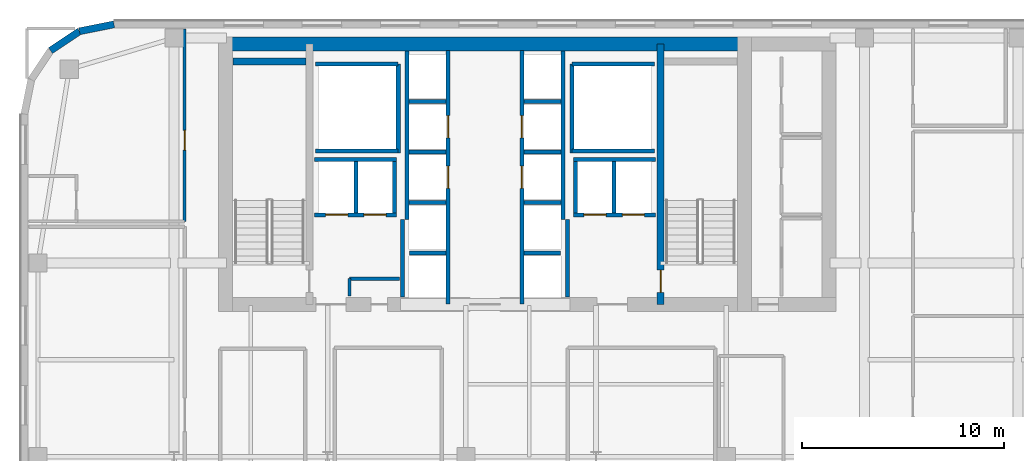
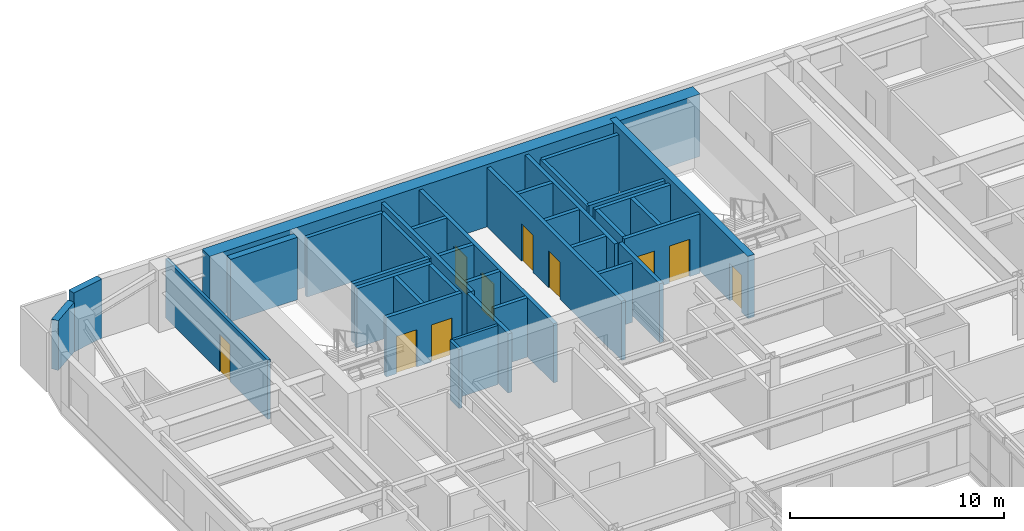
# One storey, part 18 of 25: 36 walls, 10 doors, 10 openings.
"""IFC4 building model written with IfcOpenShell, lengths in metres."""

import ifcopenshell
import ifcopenshell.guid

model = None  # the IFC model being written
_history = None  # IfcOwnerHistory: only IFC2X3 demands one
_inside = {}  # id of a spatial element -> (the spatial element, [elements in it])
_under = {}  # id of a project, library or spatial element -> (it, [spatial elements below it])
_declared = {}  # id of a project -> (the project, [libraries it declares])
_typed = {}  # id of a type object -> (the type object, [elements of that type])
_made_of = {}  # id of a material, layer set ... -> (it, [elements and type objects made of it])


def new_model(schema):
    """Start an empty IFC model of exactly this schema.

    Asked for "IFC4X3", IfcOpenShell would pick the latest addendum, in which some entities
    have other attributes; the version numbers below select the first issue.
    IFC2X3 requires an IfcOwnerHistory on every rooted entity: one is made here for all.
    """
    global model, _history
    if schema == "IFC4X3":
        model = ifcopenshell.file(schema_version=(4, 3, 0, 0))
    else:
        model = ifcopenshell.file(schema=schema)
    _inside.clear()
    _under.clear()
    _declared.clear()
    _typed.clear()
    _made_of.clear()
    _history = None
    if model.schema == "IFC2X3":
        org = make("IfcOrganization", Name="unknown")
        user = make(
            "IfcPersonAndOrganization",
            ThePerson=make("IfcPerson", FamilyName="unknown"),
            TheOrganization=org,
        )
        app = make(
            "IfcApplication",
            ApplicationDeveloper=org,
            Version="unknown",
            ApplicationFullName="unknown",
            ApplicationIdentifier="unknown",
        )
        _history = make(
            "IfcOwnerHistory",
            OwningUser=user,
            OwningApplication=app,
            ChangeAction="ADDED",
            CreationDate=0,
        )
    return model


def make(cls, **values):
    """One entity of the class cls with the attributes given. An attribute that is None is left unset."""
    return model.create_entity(
        cls, **{name: value for name, value in values.items() if value is not None}
    )


def rooted(cls, **values):
    """An entity with a GlobalId (a new one), such as an element, a storey or a relation."""
    return make(cls, GlobalId=ifcopenshell.guid.new(), OwnerHistory=_history, **values)


def si_unit(unit_type, name, prefix=None):
    """IfcSIUnit, for example si_unit("LENGTHUNIT", "METRE", prefix="MILLI")."""
    return make("IfcSIUnit", UnitType=unit_type, Prefix=prefix, Name=name)


def assignment(units):
    """IfcUnitAssignment: the units of a project."""
    return None if units is None else make("IfcUnitAssignment", Units=units)


def point(xyz):
    """IfcCartesianPoint."""
    return None if xyz is None else make("IfcCartesianPoint", Coordinates=xyz)


def direction(xyz):
    """IfcDirection."""
    return None if xyz is None else make("IfcDirection", DirectionRatios=xyz)


def frame(location, z_axis=None, x_axis=None):
    """IfcAxis2Placement3D, a coordinate frame: its origin and axes. An axis left out is left unset."""
    return make(
        "IfcAxis2Placement3D",
        Location=point(location),
        Axis=direction(z_axis),
        RefDirection=direction(x_axis),
    )


def frame_2d(location, x_axis=None):
    """IfcAxis2Placement2D, a coordinate frame in the plane: its origin and x axis."""
    return make(
        "IfcAxis2Placement2D", Location=point(location), RefDirection=direction(x_axis)
    )


def origin():
    """The frame at (0, 0, 0) with its axes left unset."""
    return frame((0.0, 0.0, 0.0))


def place(relative_to, where):
    """IfcLocalPlacement: puts the frame where relative to a parent placement (None: the world)."""
    return make(
        "IfcLocalPlacement", PlacementRelTo=relative_to, RelativePlacement=where
    )


def context(
    kind, dimensions, precision=None, world=None, true_north=None, identifier=None
):
    """IfcGeometricRepresentationContext, for example the 3D "Model" context."""
    return make(
        "IfcGeometricRepresentationContext",
        ContextIdentifier=identifier,
        ContextType=kind,
        CoordinateSpaceDimension=dimensions,
        Precision=precision,
        WorldCoordinateSystem=world,
        TrueNorth=true_north,
    )


def subcontext(parent, identifier, kind, view, scale=None):
    """IfcGeometricRepresentationSubContext, for example "Body" below "Model"."""
    return make(
        "IfcGeometricRepresentationSubContext",
        ContextIdentifier=identifier,
        ContextType=kind,
        ParentContext=parent,
        TargetScale=scale,
        TargetView=view,
    )


def project(units=None, contexts=None):
    """IfcProject with its units and contexts."""
    return rooted(
        "IfcProject",
        Name="project",
        RepresentationContexts=contexts,
        UnitsInContext=assignment(units),
    )


def spatial(cls, under=None, at=None, **own):
    """A site, building, storey or space (cls), placed at a placement, below another one or the project."""
    s = rooted(cls, ObjectPlacement=at, **own)
    if under is not None:
        _under.setdefault(under.id(), (under, []))[1].append(s)
    return s


def profile(cls, at=None, kind="AREA", **sizes):
    """A parametric profile (cls). Its sizes go by their IFC names, for example OverallWidth=200.0."""
    return make(cls, ProfileType=kind, Position=at, **sizes)


def rectangle(**sizes):
    """IfcRectangleProfileDef."""
    return profile("IfcRectangleProfileDef", **sizes)


def extrude(swept, where, along, depth):
    """IfcExtrudedAreaSolid: the profile swept, set in the frame where, extruded along a direction by depth."""
    return make(
        "IfcExtrudedAreaSolid",
        SweptArea=swept,
        Position=where,
        ExtrudedDirection=direction(along),
        Depth=depth,
    )


def shape(context_of_items, identifier, shape_type, items):
    """IfcShapeRepresentation: the items that make up one representation, for example the "Body"."""
    return make(
        "IfcShapeRepresentation",
        ContextOfItems=context_of_items,
        RepresentationIdentifier=identifier,
        RepresentationType=shape_type,
        Items=items,
    )


def source(mapping_origin, context_of_items, identifier, shape_type, items):
    """IfcRepresentationMap: a shape defined once, which mapped items show again and again."""
    return make(
        "IfcRepresentationMap",
        MappingOrigin=mapping_origin,
        MappedRepresentation=shape(context_of_items, identifier, shape_type, items),
    )


def transform(
    local_origin,
    x_axis=None,
    y_axis=None,
    z_axis=None,
    scale=None,
    scale2=None,
    scale3=None,
    uniform=True,
):
    """IfcCartesianTransformationOperator3D, or its non-uniform kind. x_axis, y_axis, z_axis: its Axis1, 2, 3."""
    if uniform:
        return make(
            "IfcCartesianTransformationOperator3D",
            Axis1=direction(x_axis),
            Axis2=direction(y_axis),
            LocalOrigin=point(local_origin),
            Scale=scale,
            Axis3=direction(z_axis),
        )
    return make(
        "IfcCartesianTransformationOperator3DnonUniform",
        Axis1=direction(x_axis),
        Axis2=direction(y_axis),
        LocalOrigin=point(local_origin),
        Scale=scale,
        Axis3=direction(z_axis),
        Scale2=scale2,
        Scale3=scale3,
    )


def mapped(mapping_source, mapping_target):
    """IfcMappedItem: shows the shape of a source again, moved by a transform."""
    return make(
        "IfcMappedItem", MappingSource=mapping_source, MappingTarget=mapping_target
    )


def material(Name=None, Category=None):
    """IfcMaterial."""
    return make("IfcMaterial", Name=Name, Category=Category)


def layer(
    of_material, thickness, ventilated=None, Name=None, Category=None, Priority=None
):
    """IfcMaterialLayer: one layer of a wall or slab, of a material (None: an air gap)."""
    return make(
        "IfcMaterialLayer",
        Material=of_material,
        LayerThickness=thickness,
        IsVentilated=ventilated,
        Name=Name,
        Category=Category,
        Priority=Priority,
    )


def layer_set(layers, Name=None):
    """IfcMaterialLayerSet."""
    return make("IfcMaterialLayerSet", MaterialLayers=layers, LayerSetName=Name)


def made_of(thing, what):
    """Note that an element or type object is made of a material, layer set ...; save() writes the relation."""
    if what is not None:
        _made_of.setdefault(what.id(), (what, []))[1].append(thing)
    return thing


def type_object(cls, material=None, **own):
    """A type object (cls), such as IfcWallType, which elements share."""
    return made_of(rooted(cls, **own), material)


def type_shapes(of_type, sources):
    """Give a type object the sources (RepresentationMaps) that its elements show as mapped items."""
    of_type.RepresentationMaps = sources


def element(
    cls,
    number,
    at=None,
    inside=None,
    cuts=None,
    type_object=None,
    material=None,
    context=None,
    identifier="Body",
    shape_type=None,
    held_by="IfcProductDefinitionShape",
    body=None,
    shapes=None,
    **own,
):
    """One element of the class cls, such as IfcWall. Its Tag is "e" and its number.

    at: its placement. inside: the storey or other place that contains it. cuts: it is an
    opening in that element (IfcRelVoidsElement). A single representation is given by context,
    identifier, shape_type and body (its items); several are given by shapes. held_by: the class
    of the entity that holds the representations. save() writes the other relations.
    """
    e = rooted(cls, Tag="e%d" % number, ObjectPlacement=at, **own)
    if body is not None:
        shapes = [shape(context, identifier, shape_type, body)]
    if shapes is not None:
        e.Representation = make(held_by, Representations=shapes)
    if inside is not None:
        _inside.setdefault(inside.id(), (inside, []))[1].append(e)
    if cuts is not None:
        rooted(
            "IfcRelVoidsElement", RelatingBuildingElement=cuts, RelatedOpeningElement=e
        )
    if type_object is not None:
        _typed.setdefault(type_object.id(), (type_object, []))[1].append(e)
    return made_of(e, material)


def fill(opening, filler):
    """IfcRelFillsElement: the door or window that sits in an opening."""
    return rooted(
        "IfcRelFillsElement",
        RelatingOpeningElement=opening,
        RelatedBuildingElement=filler,
    )


def aggregate(whole, parts):
    """IfcRelAggregates: a whole, such as a stair, and the parts it consists of."""
    return rooted("IfcRelAggregates", RelatingObject=whole, RelatedObjects=parts)


def save(model, path):
    """Write the relations noted so far, then the file.

    IfcRelAggregates (storeys below a building ...), IfcRelContainedInSpatialStructure (elements
    in a storey), IfcRelDefinesByType, IfcRelAssociatesMaterial and IfcRelDeclares: one each for
    every whole, place, type object, material and project.
    """
    for whole, parts in _under.values():
        aggregate(whole, parts)
    for where, things in _inside.values():
        rooted(
            "IfcRelContainedInSpatialStructure",
            RelatedElements=things,
            RelatingStructure=where,
        )
    for kind, things in _typed.values():
        rooted("IfcRelDefinesByType", RelatedObjects=things, RelatingType=kind)
    for what, things in _made_of.values():
        rooted("IfcRelAssociatesMaterial", RelatedObjects=things, RelatingMaterial=what)
    for by, libraries in _declared.values():
        rooted("IfcRelDeclares", RelatingContext=by, RelatedDefinitions=libraries)
    model.write(path)


model = new_model("IFC4")

# Units and contexts
model_context = context("Model", 3, precision=1e-05, world=origin(), true_north=direction((0.0, 1.0)))
body_context = subcontext(model_context, "Body", "Model", "MODEL_VIEW")
ifc_project = project(units=[si_unit("LENGTHUNIT", "METRE"), si_unit("AREAUNIT", "SQUARE_METRE"), si_unit("VOLUMEUNIT", "CUBIC_METRE"), si_unit("PLANEANGLEUNIT", "RADIAN"), si_unit("MASSUNIT", "GRAM", prefix="KILO")], contexts=[model_context])

# Site, building, storey
site_placement = place(None, origin())
site = spatial("IfcSite", under=ifc_project, at=site_placement, CompositionType="ELEMENT")
building_placement = place(site_placement, origin())
building = spatial("IfcBuilding", under=site, at=building_placement, Name="Tolvann Quenvar Hotel", CompositionType="ELEMENT")
storey_placement = place(building_placement, frame((0.0, 0.0, 132.85009765625)))
storey = spatial("IfcBuildingStorey", under=building, at=storey_placement, Name="L34", CompositionType="ELEMENT", Elevation=132.85009765625)

# Wall
ifc_material_1 = material(Name="Concrete S65 (65 MPa)", Category="concrete")
ifc_layer_1 = layer(ifc_material_1, 0.699951171875)
ifc_layer_set_1 = layer_set([ifc_layer_1], Name="Concrete S65 (65 MPa)")
wall_type_1 = type_object("IfcWallType", Name="WALL_CORE_700", PredefinedType="SHEAR", material=ifc_layer_set_1)
wall_1_placement = place(storey_placement, frame((9.800048828125, 44.85009765625, 0.0), z_axis=(0.0, 0.0, 1.0), x_axis=(1.0, 0.0, 0.0)))
element("IfcWall", 1, at=wall_1_placement, inside=storey, type_object=wall_type_1, Name="Rear Core N Shear Wall (L34)", PredefinedType="SHEAR", context=body_context, shape_type="SweptSolid", body=[
    extrude(rectangle(XDim=26.39990234375, YDim=0.699951171875, at=frame_2d((13.199951171875, 0.0))), origin(), (0.0, 0.0, 1.0), 3.5498046875),
])

# Wall, opening, door
ifc_layer_2 = layer(ifc_material_1, 0.35009765625)
ifc_layer_set_2 = layer_set([ifc_layer_2], Name="Concrete S65 (65 MPa)")
wall_type_2 = type_object("IfcWallType", Name="WALL_CORE_INT_350", PredefinedType="SHEAR", material=ifc_layer_set_2)
wall_2_placement = place(storey_placement, frame((31.699951171875, 31.949951171875, 0.0), z_axis=(0.0, 0.0, 1.0), x_axis=(0.0, 1.0, 0.0)))
wall_2 = element("IfcWall", 2, at=wall_2_placement, inside=storey, type_object=wall_type_2, Name="Core Internal Web Shear Wall WEB-E (L34)", PredefinedType="SHEAR", context=body_context, shape_type="SweptSolid", body=[
    extrude(rectangle(XDim=12.900146484375, YDim=0.35009765625, at=frame_2d((6.4501953125, 0.0))), origin(), (0.0, 0.0, 1.0), 3.5498046875),
])
opening_1_placement = place(wall_2_placement, frame((1.7001953125, 0.0, 0.0), z_axis=(0.0, 0.0, 1.0), x_axis=(-1.0, 0.0, 0.0)))
opening_1 = element("IfcOpeningElement", 3, at=opening_1_placement, cuts=wall_2, Name="Opening FD-120", PredefinedType="OPENING", context=body_context, shape_type="SweptSolid", body=[
    extrude(rectangle(XDim=1.10009765625, YDim=2.1201171875, at=frame_2d((0.550048828125, 1.06005859375))), frame((0.0, 0.18505859375, 0.0), z_axis=(0.0, -1.0, 0.0), x_axis=(1.0, 0.0, 0.0)), (0.0, 0.0, 1.0), 0.3701171875),
])
ifc_material_2 = material(Name="Pressed galvanised steel fire-rated door set", Category="steel")
door_type_1 = type_object("IfcDoorType", Name="DOOR_FIRE_STAIR_1100", OperationType="NOTDEFINED", PredefinedType="DOOR", material=ifc_material_2)
shared_shape_1 = source(origin(), body_context, "Body", "SweptSolid", [
    extrude(rectangle(XDim=1.10009765625, YDim=2.1201171875, at=frame_2d((0.550048828125, 1.06005859375))), frame((0.0, 0.02490234375, 0.0), z_axis=(0.0, -1.0, 0.0), x_axis=(1.0, 0.0, 0.0)), (0.0, 0.0, 1.0), 0.050048828125),
])
type_shapes(door_type_1, [shared_shape_1])
door_1_placement = place(opening_1_placement, origin())
door_1 = element("IfcDoor", 4, at=door_1_placement, inside=storey, type_object=door_type_1, Name="Exit Stair ST-C2 Fire Door (L34)", OperationType="SINGLE_SWING_RIGHT", OverallHeight=2.1201171875, OverallWidth=1.10009765625, PredefinedType="DOOR", context=body_context, shape_type="MappedRepresentation", body=[
    mapped(shared_shape_1, transform((0.0, 0.0, 0.0), x_axis=(1.0, 0.0, 0.0), y_axis=(0.0, 1.0, 0.0), z_axis=(0.0, 0.0, 1.0), scale=1.0)),
])
fill(opening_1, door_1)

# Walls
wall_3_placement = place(storey_placement, frame((10.52001953125, 43.97509765625, 0.0), z_axis=(0.0, 0.0, 1.0), x_axis=(1.0, 0.0, 0.0)))
element("IfcWall", 5, at=wall_3_placement, inside=storey, type_object=wall_type_2, Name="Core Stair North Closing Shear Wall STC1-N (L34)", PredefinedType="SHEAR", context=body_context, shape_type="SweptSolid", body=[
    extrude(rectangle(XDim=3.60009765625, YDim=0.35009765625, at=frame_2d((1.800048828125, 0.0))), origin(), (0.0, 0.0, 1.0), 3.5498046875),
])
ifc_material_3 = material(Name="Kiln-fired red and buff architectural clay brickwork and terracotta masonry", Category="masonry")
ifc_layer_3 = layer(ifc_material_3, 0.35009765625)
ifc_layer_set_3 = layer_set([ifc_layer_3], Name="Kiln-fired red and buff architectural clay brickwork and terracotta masonry")
wall_type_3 = type_object("IfcWallType", Name="WALL_EXT_BRICK_350", PredefinedType="SOLIDWALL", material=ifc_layer_set_3)
wall_4_placement = place(storey_placement, frame((4.6171875, 45.824951171875, 0.0), z_axis=(0.0, 0.0, 1.0), x_axis=(-0.980800971659, -0.195011420161, 0.0)))
element("IfcWall", 6, at=wall_4_placement, inside=storey, type_object=wall_type_3, Name="Exterior Chicago Brick Wall L34-E19", PredefinedType="SOLIDWALL", context=body_context, shape_type="SweptSolid", body=[
    extrude(rectangle(XDim=1.74267578125, YDim=0.35009765625, at=frame_2d((0.871337890625, 0.0))), origin(), (0.0, 0.0, 1.0), 3.369873046875),
])
wall_5_placement = place(storey_placement, frame((2.907958984375, 45.485107421875, 0.0), z_axis=(0.0, 0.0, 1.0), x_axis=(-0.831483840845, -0.55554893791, 0.0)))
element("IfcWall", 7, at=wall_5_placement, inside=storey, type_object=wall_type_3, Name="Exterior Chicago Brick Wall L34-E20", PredefinedType="SOLIDWALL", context=body_context, shape_type="SweptSolid", body=[
    extrude(rectangle(XDim=1.725341796875, YDim=0.35009765625, at=frame_2d((0.86279296875, 0.0))), origin(), (0.0, 0.0, 1.0), 2.831787109375),
])
ifc_material_4 = material(Name="Acoustic twin-stud fire-rated gypsum plasterboard partition")
ifc_layer_4 = layer(ifc_material_4, 0.14990234375)
ifc_layer_set_4 = layer_set([ifc_layer_4], Name="Acoustic twin-stud fire-rated gypsum plasterboard partition")
wall_type_4 = type_object("IfcWallType", Name="WALL_PART_SUITE_150", PredefinedType="PARTITIONING", material=ifc_layer_set_4)
wall_6_placement = place(storey_placement, frame((16.280029296875, 33.219970703125, 0.0), z_axis=(0.0, 0.0, 1.0), x_axis=(1.0, 0.0, 0.0)))
element("IfcWall", 8, at=wall_6_placement, inside=storey, type_object=wall_type_4, Name="Interior Partition PT-SPC-L34-CSW-1-N", PredefinedType="PARTITIONING", context=body_context, shape_type="SweptSolid", body=[
    extrude(rectangle(XDim=2.48486328125, YDim=0.14990234375, at=frame_2d((1.242431640625, 0.0))), origin(), (0.0, 0.0, 1.0), 3.369873046875),
])
wall_7_placement = place(storey_placement, frame((16.280029296875, 32.35498046875, 0.0), z_axis=(0.0, 0.0, 1.0), x_axis=(0.0, 1.0, 0.0)))
element("IfcWall", 9, at=wall_7_placement, inside=storey, type_object=wall_type_4, Name="Interior Partition PT-SPC-L34-CSW-1-W", PredefinedType="PARTITIONING", context=body_context, shape_type="SweptSolid", body=[
    extrude(rectangle(XDim=0.864990234375, YDim=0.14990234375, at=frame_2d((0.4326171875, 0.0))), origin(), (0.0, 0.0, 1.0), 3.369873046875),
])

# Wall, opening, door
wall_8_placement = place(storey_placement, frame((8.1201171875, 36.06005859375, 0.0), z_axis=(0.0, 0.0, 1.0), x_axis=(0.0, 1.0, 0.0)))
wall_8 = element("IfcWall", 10, at=wall_8_placement, inside=storey, type_object=wall_type_4, Name="Interior Partition PT-SPC-L34-RM-NW01-ENT", PredefinedType="PARTITIONING", context=body_context, shape_type="SweptSolid", body=[
    extrude(rectangle(XDim=9.534912109375, YDim=0.14990234375, at=frame_2d((4.767578125, 0.0))), origin(), (0.0, 0.0, 1.0), 3.369873046875),
])
opening_2_placement = place(wall_8_placement, frame((3.530029296875, 0.0, 0.0)))
opening_2 = element("IfcOpeningElement", 11, at=opening_2_placement, cuts=wall_8, Name="Opening SD-01", PredefinedType="OPENING", context=body_context, shape_type="SweptSolid", body=[
    extrude(rectangle(XDim=0.97998046875, YDim=2.1201171875, at=frame_2d((0.489990234375, 1.06005859375))), frame((0.0, 0.0849609375, 0.0), z_axis=(0.0, -1.0, 0.0), x_axis=(1.0, 0.0, 0.0)), (0.0, 0.0, 1.0), 0.169921875),
])
ifc_material_5 = material(Name="Solid-core American oak acoustic fire door leaf in steel frame", Category="steel")
door_type_2 = type_object("IfcDoorType", Name="DOOR_SUITE_980", OperationType="NOTDEFINED", PredefinedType="DOOR", material=ifc_material_5)
shared_shape_2 = source(origin(), body_context, "Body", "SweptSolid", [
    extrude(rectangle(XDim=0.97998046875, YDim=2.1201171875, at=frame_2d((0.489990234375, 1.06005859375))), frame((0.0, 0.02490234375, 0.0), z_axis=(0.0, -1.0, 0.0), x_axis=(1.0, 0.0, 0.0)), (0.0, 0.0, 1.0), 0.050048828125),
])
type_shapes(door_type_2, [shared_shape_2])
door_2_placement = place(opening_2_placement, origin())
door_2 = element("IfcDoor", 12, at=door_2_placement, inside=storey, type_object=door_type_2, Name="Interior Door DOOR-SPC-L34-RM-NW01", OperationType="SINGLE_SWING_LEFT", OverallHeight=2.1201171875, OverallWidth=0.97998046875, PredefinedType="DOOR", context=body_context, shape_type="MappedRepresentation", body=[
    mapped(shared_shape_2, transform((0.0, 0.0, 0.0), x_axis=(1.0, 0.0, 0.0), y_axis=(0.0, 1.0, 0.0), z_axis=(0.0, 0.0, 1.0), scale=1.0)),
])
fill(opening_2, door_2)

# Walls
ifc_material_6 = material(Name="Concrete N40 (40 MPa)", Category="concrete")
ifc_layer_5 = layer(ifc_material_6, 0.199951171875)
ifc_layer_set_5 = layer_set([ifc_layer_5], Name="Concrete N40 (40 MPa)")
wall_type_5 = type_object("IfcWallType", Name="WALL_SHAFT_200", PredefinedType="SOLIDWALL", material=ifc_layer_set_5)
wall_9_placement = place(storey_placement, frame((18.699951171875, 39.449951171875, 0.0), z_axis=(0.0, 0.0, 1.0), x_axis=(0.0, 1.0, 0.0)))
element("IfcWall", 13, at=wall_9_placement, inside=storey, type_object=wall_type_5, Name="Service Riser W Shaft Wall IN (L34)", PredefinedType="SOLIDWALL", context=body_context, shape_type="SweptSolid", body=[
    extrude(rectangle(XDim=4.400146484375, YDim=0.199951171875, at=frame_2d((2.2001953125, 0.0))), origin(), (0.0, 0.0, 1.0), 3.369873046875),
])
for number, where, z_axis, x_axis, name in (
    (14, (14.60009765625, 39.550048828125, 0.0), (0.0, 0.0, 1.0), (1.0, 0.0, 0.0), "Service Riser W Shaft Wall S (L34)"),
    (15, (14.60009765625, 43.85009765625, 0.0), (0.0, 0.0, 1.0), (1.0, 0.0, 0.0), "Service Riser W Shaft Wall N (L34)"),
):
    element("IfcWall", number, at=place(storey_placement, frame(where, z_axis=z_axis, x_axis=x_axis)), inside=storey, type_object=wall_type_5, Name=name, PredefinedType="SOLIDWALL", context=body_context, shape_type="SweptSolid", body=[
        extrude(rectangle(XDim=4.099853515625, YDim=0.199951171875, at=frame_2d((2.0498046875, 0.0))), origin(), (0.0, 0.0, 1.0), 3.369873046875),
    ])
wall_10_placement = place(storey_placement, frame((27.300048828125, 39.449951171875, 0.0), z_axis=(0.0, 0.0, 1.0), x_axis=(0.0, 1.0, 0.0)))
element("IfcWall", 16, at=wall_10_placement, inside=storey, type_object=wall_type_5, Name="Service Riser E Shaft Wall IN (L34)", PredefinedType="SOLIDWALL", context=body_context, shape_type="SweptSolid", body=[
    extrude(rectangle(XDim=4.400146484375, YDim=0.199951171875, at=frame_2d((2.2001953125, 0.0))), origin(), (0.0, 0.0, 1.0), 3.369873046875),
])
for number, where, z_axis, x_axis, name in (
    (17, (27.300048828125, 39.550048828125, 0.0), (0.0, 0.0, 1.0), (1.0, 0.0, 0.0), "Service Riser E Shaft Wall S (L34)"),
    (18, (27.300048828125, 43.85009765625, 0.0), (0.0, 0.0, 1.0), (1.0, 0.0, 0.0), "Service Riser E Shaft Wall N (L34)"),
):
    element("IfcWall", number, at=place(storey_placement, frame(where, z_axis=z_axis, x_axis=x_axis)), inside=storey, type_object=wall_type_5, Name=name, PredefinedType="SOLIDWALL", context=body_context, shape_type="SweptSolid", body=[
        extrude(rectangle(XDim=4.099853515625, YDim=0.199951171875, at=frame_2d((2.0498046875, 0.0))), origin(), (0.0, 0.0, 1.0), 3.369873046875),
    ])
for number, where, z_axis, x_axis, name in (
    (19, (18.919921875, 32.303955078125, 0.0), (0.0, 0.0, 1.0), (0.0, 1.0, 0.0), "Firefighting Lobby W Inner Fire Wall (L34)"),
    (20, (27.080078125, 32.303955078125, 0.0), (0.0, 0.0, 1.0), (0.0, 1.0, 0.0), "Firefighting Lobby E Inner Fire Wall (L34)"),
):
    element("IfcWall", number, at=place(storey_placement, frame(where, z_axis=z_axis, x_axis=x_axis)), inside=storey, type_object=wall_type_5, Name=name, PredefinedType="SOLIDWALL", context=body_context, shape_type="SweptSolid", body=[
        extrude(rectangle(XDim=3.845947265625, YDim=0.199951171875, at=frame_2d((1.9228515625, 0.0))), origin(), (0.0, 0.0, 1.0), 3.369873046875),
    ])

# Wall, openings, doors
wall_11_placement = place(storey_placement, frame((21.169921875, 31.9599609375, 0.0), z_axis=(0.0, 0.0, 1.0), x_axis=(0.0, 1.0, 0.0)))
wall_11 = element("IfcWall", 21, at=wall_11_placement, inside=storey, type_object=wall_type_5, Name="Lift Bank E21.1C1 Hoistway Front Wall (L34)", PredefinedType="SOLIDWALL", context=body_context, shape_type="SweptSolid", body=[
    extrude(rectangle(XDim=12.580078125, YDim=0.199951171875, at=frame_2d((6.2900390625, 0.0))), origin(), (0.0, 0.0, 1.0), 3.369873046875),
])
opening_3_placement = place(wall_11_placement, frame((5.739990234375, 0.0, 0.0)))
opening_3 = element("IfcOpeningElement", 22, at=opening_3_placement, cuts=wall_11, Name="Opening LD-01", PredefinedType="OPENING", context=body_context, shape_type="SweptSolid", body=[
    extrude(rectangle(XDim=1.10009765625, YDim=2.1201171875, at=frame_2d((0.550048828125, 1.06005859375))), frame((0.0, 0.10986328125, 0.0), z_axis=(0.0, -1.0, 0.0), x_axis=(1.0, 0.0, 0.0)), (0.0, 0.0, 1.0), 0.219970703125),
])
opening_4_placement = place(wall_11_placement, frame((8.239990234375, 0.0, 0.0)))
opening_4 = element("IfcOpeningElement", 23, at=opening_4_placement, cuts=wall_11, Name="Opening LD-01", PredefinedType="OPENING", context=body_context, shape_type="SweptSolid", body=[
    extrude(rectangle(XDim=1.10009765625, YDim=2.1201171875, at=frame_2d((0.550048828125, 1.06005859375))), frame((0.0, 0.10986328125, 0.0), z_axis=(0.0, -1.0, 0.0), x_axis=(1.0, 0.0, 0.0)), (0.0, 0.0, 1.0), 0.219970703125),
])
ifc_material_7 = material(Name="Brushed 316 stainless steel automatic sliding lift landing door", Category="steel")
door_type_3 = type_object("IfcDoorType", Name="DOOR_LIFT_SLIDE_1100", OperationType="NOTDEFINED", PredefinedType="DOOR", material=ifc_material_7)
shared_shape_3 = source(origin(), body_context, "Body", "SweptSolid", [
    extrude(rectangle(XDim=1.10009765625, YDim=2.1201171875, at=frame_2d((0.550048828125, 1.06005859375))), frame((0.0, 0.02490234375, 0.0), z_axis=(0.0, -1.0, 0.0), x_axis=(1.0, 0.0, 0.0)), (0.0, 0.0, 1.0), 0.050048828125),
])
type_shapes(door_type_3, [shared_shape_3])
door_3_placement = place(opening_3_placement, origin())
door_3 = element("IfcDoor", 24, at=door_3_placement, inside=storey, type_object=door_type_3, Name="Lift PM-1 Sliding Landing Door (L34)", OperationType="SLIDING_TO_RIGHT", OverallHeight=2.1201171875, OverallWidth=1.10009765625, PredefinedType="DOOR", context=body_context, shape_type="MappedRepresentation", body=[
    mapped(shared_shape_3, transform((0.0, 0.0, 0.0), x_axis=(1.0, 0.0, 0.0), y_axis=(0.0, 1.0, 0.0), z_axis=(0.0, 0.0, 1.0), scale=1.0)),
])
fill(opening_3, door_3)
door_4_placement = place(opening_4_placement, origin())
door_4 = element("IfcDoor", 25, at=door_4_placement, inside=storey, type_object=door_type_3, Name="Lift PM-2 Sliding Landing Door (L34)", OperationType="SLIDING_TO_LEFT", OverallHeight=2.1201171875, OverallWidth=1.10009765625, PredefinedType="DOOR", context=body_context, shape_type="MappedRepresentation", body=[
    mapped(shared_shape_3, transform((0.0, 0.0, 0.0), x_axis=(1.0, 0.0, 0.0), y_axis=(0.0, 1.0, 0.0), z_axis=(0.0, 0.0, 1.0), scale=1.0)),
])
fill(opening_4, door_4)

# Walls
wall_12_placement = place(storey_placement, frame((19.1298828125, 36.159912109375, 0.0), z_axis=(0.0, 0.0, 1.0), x_axis=(0.0, 1.0, 0.0)))
element("IfcWall", 26, at=wall_12_placement, inside=storey, type_object=wall_type_5, Name="Lift Bank E21.1C1 Hoistway Rear Wall (L34)", PredefinedType="SOLIDWALL", context=body_context, shape_type="SweptSolid", body=[
    extrude(rectangle(XDim=8.336181640625, YDim=0.199951171875, at=frame_2d((4.16796875, 0.0))), origin(), (0.0, 0.0, 1.0), 3.369873046875),
])
wall_13_placement = place(storey_placement, frame((19.27001953125, 34.5, 0.0), z_axis=(0.0, 0.0, 1.0), x_axis=(1.0, 0.0, 0.0)))
element("IfcWall", 27, at=wall_13_placement, inside=storey, type_object=wall_type_5, Name="Lift Bank E21.1C1 Divider Wall 1 (L34)", PredefinedType="SOLIDWALL", context=body_context, shape_type="SweptSolid", body=[
    extrude(rectangle(XDim=1.800048828125, YDim=0.199951171875, at=frame_2d((0.89990234375, 0.0))), origin(), (0.0, 0.0, 1.0), 3.369873046875),
])
for number, where, z_axis, x_axis, name in (
    (28, (19.22998046875, 37.0, 0.0), (0.0, 0.0, 1.0), (1.0, 0.0, 0.0), "Lift Bank E21.1C1 Divider Wall 2 (L34)"),
    (29, (19.22998046875, 39.5, 0.0), (0.0, 0.0, 1.0), (1.0, 0.0, 0.0), "Lift Bank E21.1C1 Divider Wall 3 (L34)"),
    (30, (19.22998046875, 42.0, 0.0), (0.0, 0.0, 1.0), (1.0, 0.0, 0.0), "Lift Bank E21.1C1 Divider Wall 4 (L34)"),
):
    element("IfcWall", number, at=place(storey_placement, frame(where, z_axis=z_axis, x_axis=x_axis)), inside=storey, type_object=wall_type_5, Name=name, PredefinedType="SOLIDWALL", context=body_context, shape_type="SweptSolid", body=[
        extrude(rectangle(XDim=1.840087890625, YDim=0.199951171875, at=frame_2d((0.919921875, 0.0))), origin(), (0.0, 0.0, 1.0), 3.369873046875),
    ])

# Wall, openings, doors
wall_14_placement = place(storey_placement, frame((27.375, 36.3798828125, 0.0), z_axis=(0.0, 0.0, 1.0), x_axis=(1.0, 0.0, 0.0)))
wall_14 = element("IfcWall", 31, at=wall_14_placement, inside=storey, type_object=wall_type_5, Name="Lift Bank SEC1 Hoistway Front Wall (L34)", PredefinedType="SOLIDWALL", context=body_context, shape_type="SweptSolid", body=[
    extrude(rectangle(XDim=4.074951171875, YDim=0.199951171875, at=frame_2d((2.03759765625, 0.0))), origin(), (0.0, 0.0, 1.0), 3.369873046875),
])
opening_5_placement = place(wall_14_placement, frame((0.52490234375, 0.0, 0.0)))
opening_5 = element("IfcOpeningElement", 32, at=opening_5_placement, cuts=wall_14, Name="Opening LD-01", PredefinedType="OPENING", context=body_context, shape_type="SweptSolid", body=[
    extrude(rectangle(XDim=1.10009765625, YDim=2.1201171875, at=frame_2d((0.550048828125, 1.06005859375))), frame((0.0, 0.10986328125, 0.0), z_axis=(0.0, -1.0, 0.0), x_axis=(1.0, 0.0, 0.0)), (0.0, 0.0, 1.0), 0.219970703125),
])
opening_6_placement = place(wall_14_placement, frame((2.425048828125, 0.0, 0.0)))
opening_6 = element("IfcOpeningElement", 33, at=opening_6_placement, cuts=wall_14, Name="Opening LD-01", PredefinedType="OPENING", context=body_context, shape_type="SweptSolid", body=[
    extrude(rectangle(XDim=1.10009765625, YDim=2.1201171875, at=frame_2d((0.550048828125, 1.06005859375))), frame((0.0, 0.10986328125, 0.0), z_axis=(0.0, -1.0, 0.0), x_axis=(1.0, 0.0, 0.0)), (0.0, 0.0, 1.0), 0.219970703125),
])
door_5_placement = place(opening_5_placement, origin())
door_5 = element("IfcDoor", 34, at=door_5_placement, inside=storey, type_object=door_type_3, Name="Lift SV-2 Sliding Landing Door (L34)", OperationType="SLIDING_TO_LEFT", OverallHeight=2.1201171875, OverallWidth=1.10009765625, PredefinedType="DOOR", context=body_context, shape_type="MappedRepresentation", body=[
    mapped(shared_shape_3, transform((0.0, 0.0, 0.0), x_axis=(1.0, 0.0, 0.0), y_axis=(0.0, 1.0, 0.0), z_axis=(0.0, 0.0, 1.0), scale=1.0)),
])
fill(opening_5, door_5)
door_6_placement = place(opening_6_placement, origin())
door_6 = element("IfcDoor", 35, at=door_6_placement, inside=storey, type_object=door_type_3, Name="Lift FF-2 Sliding Landing Door (L34)", OperationType="SLIDING_TO_RIGHT", OverallHeight=2.1201171875, OverallWidth=1.10009765625, PredefinedType="DOOR", context=body_context, shape_type="MappedRepresentation", body=[
    mapped(shared_shape_3, transform((0.0, 0.0, 0.0), x_axis=(1.0, 0.0, 0.0), y_axis=(0.0, 1.0, 0.0), z_axis=(0.0, 0.0, 1.0), scale=1.0)),
])
fill(opening_6, door_6)

# Walls
wall_15_placement = place(storey_placement, frame((27.375, 39.1201171875, 0.0), z_axis=(0.0, 0.0, 1.0), x_axis=(1.0, 0.0, 0.0)))
element("IfcWall", 36, at=wall_15_placement, inside=storey, type_object=wall_type_5, Name="Lift Bank SEC1 Hoistway Rear Wall (L34)", PredefinedType="SOLIDWALL", context=body_context, shape_type="SweptSolid", body=[
    extrude(rectangle(XDim=4.074951171875, YDim=0.199951171875, at=frame_2d((2.03759765625, 0.0))), origin(), (0.0, 0.0, 1.0), 3.369873046875),
])
for number, where, z_axis, x_axis, name in (
    (37, (27.47509765625, 36.47998046875, 0.0), (0.0, 0.0, 1.0), (0.0, 1.0, 0.0), "Lift Bank SEC1 Hoistway Cheek Wall 1 (L34)"),
    (38, (29.387451171875, 36.47998046875, 0.0), (0.0, 0.0, 1.0), (0.0, 1.0, 0.0), "Lift Bank SEC1 Divider Wall 1 (L34)"),
):
    element("IfcWall", number, at=place(storey_placement, frame(where, z_axis=z_axis, x_axis=x_axis)), inside=storey, type_object=wall_type_5, Name=name, PredefinedType="SOLIDWALL", context=body_context, shape_type="SweptSolid", body=[
        extrude(rectangle(XDim=2.5400390625, YDim=0.199951171875, at=frame_2d((1.27001953125, 0.0))), origin(), (0.0, 0.0, 1.0), 3.369873046875),
    ])

# Wall, openings, doors
wall_16_placement = place(storey_placement, frame((14.550048828125, 36.3798828125, 0.0), z_axis=(0.0, 0.0, 1.0), x_axis=(1.0, 0.0, 0.0)))
wall_16 = element("IfcWall", 39, at=wall_16_placement, inside=storey, type_object=wall_type_5, Name="Lift Bank SWC1 Hoistway Front Wall (L34)", PredefinedType="SOLIDWALL", context=body_context, shape_type="SweptSolid", body=[
    extrude(rectangle(XDim=4.074951171875, YDim=0.199951171875, at=frame_2d((2.03759765625, 0.0))), origin(), (0.0, 0.0, 1.0), 3.369873046875),
])
opening_7_placement = place(wall_16_placement, frame((0.550048828125, 0.0, 0.0)))
opening_7 = element("IfcOpeningElement", 40, at=opening_7_placement, cuts=wall_16, Name="Opening LD-01", PredefinedType="OPENING", context=body_context, shape_type="SweptSolid", body=[
    extrude(rectangle(XDim=1.10009765625, YDim=2.1201171875, at=frame_2d((0.550048828125, 1.06005859375))), frame((0.0, 0.10986328125, 0.0), z_axis=(0.0, -1.0, 0.0), x_axis=(1.0, 0.0, 0.0)), (0.0, 0.0, 1.0), 0.219970703125),
])
opening_8_placement = place(wall_16_placement, frame((2.449951171875, 0.0, 0.0)))
opening_8 = element("IfcOpeningElement", 41, at=opening_8_placement, cuts=wall_16, Name="Opening LD-01", PredefinedType="OPENING", context=body_context, shape_type="SweptSolid", body=[
    extrude(rectangle(XDim=1.10009765625, YDim=2.1201171875, at=frame_2d((0.550048828125, 1.06005859375))), frame((0.0, 0.10986328125, 0.0), z_axis=(0.0, -1.0, 0.0), x_axis=(1.0, 0.0, 0.0)), (0.0, 0.0, 1.0), 0.219970703125),
])
door_7_placement = place(opening_7_placement, origin())
door_7 = element("IfcDoor", 42, at=door_7_placement, inside=storey, type_object=door_type_3, Name="Lift FF-1 Sliding Landing Door (L34)", OperationType="SLIDING_TO_LEFT", OverallHeight=2.1201171875, OverallWidth=1.10009765625, PredefinedType="DOOR", context=body_context, shape_type="MappedRepresentation", body=[
    mapped(shared_shape_3, transform((0.0, 0.0, 0.0), x_axis=(1.0, 0.0, 0.0), y_axis=(0.0, 1.0, 0.0), z_axis=(0.0, 0.0, 1.0), scale=1.0)),
])
fill(opening_7, door_7)
door_8_placement = place(opening_8_placement, origin())
door_8 = element("IfcDoor", 43, at=door_8_placement, inside=storey, type_object=door_type_3, Name="Lift SV-1 Sliding Landing Door (L34)", OperationType="SLIDING_TO_RIGHT", OverallHeight=2.1201171875, OverallWidth=1.10009765625, PredefinedType="DOOR", context=body_context, shape_type="MappedRepresentation", body=[
    mapped(shared_shape_3, transform((0.0, 0.0, 0.0), x_axis=(1.0, 0.0, 0.0), y_axis=(0.0, 1.0, 0.0), z_axis=(0.0, 0.0, 1.0), scale=1.0)),
])
fill(opening_8, door_8)

# Walls
wall_17_placement = place(storey_placement, frame((14.550048828125, 39.1201171875, 0.0), z_axis=(0.0, 0.0, 1.0), x_axis=(1.0, 0.0, 0.0)))
element("IfcWall", 44, at=wall_17_placement, inside=storey, type_object=wall_type_5, Name="Lift Bank SWC1 Hoistway Rear Wall (L34)", PredefinedType="SOLIDWALL", context=body_context, shape_type="SweptSolid", body=[
    extrude(rectangle(XDim=4.074951171875, YDim=0.199951171875, at=frame_2d((2.03759765625, 0.0))), origin(), (0.0, 0.0, 1.0), 3.369873046875),
])
for number, where, z_axis, x_axis, name in (
    (45, (18.52490234375, 36.47998046875, 0.0), (0.0, 0.0, 1.0), (0.0, 1.0, 0.0), "Lift Bank SWC1 Hoistway Cheek Wall 2 (L34)"),
    (46, (16.612548828125, 36.47998046875, 0.0), (0.0, 0.0, 1.0), (0.0, 1.0, 0.0), "Lift Bank SWC1 Divider Wall 1 (L34)"),
):
    element("IfcWall", number, at=place(storey_placement, frame(where, z_axis=z_axis, x_axis=x_axis)), inside=storey, type_object=wall_type_5, Name=name, PredefinedType="SOLIDWALL", context=body_context, shape_type="SweptSolid", body=[
        extrude(rectangle(XDim=2.5400390625, YDim=0.199951171875, at=frame_2d((1.27001953125, 0.0))), origin(), (0.0, 0.0, 1.0), 3.369873046875),
    ])

# Wall, openings, doors
wall_18_placement = place(storey_placement, frame((24.830078125, 31.9599609375, 0.0), z_axis=(0.0, 0.0, 1.0), x_axis=(0.0, 1.0, 0.0)))
wall_18 = element("IfcWall", 47, at=wall_18_placement, inside=storey, type_object=wall_type_5, Name="Lift Bank W24.9C1 Hoistway Front Wall (L34)", PredefinedType="SOLIDWALL", context=body_context, shape_type="SweptSolid", body=[
    extrude(rectangle(XDim=12.580078125, YDim=0.199951171875, at=frame_2d((6.2900390625, 0.0))), origin(), (0.0, 0.0, 1.0), 3.369873046875),
])
opening_9_placement = place(wall_18_placement, frame((5.739990234375, 0.0, 0.0)))
opening_9 = element("IfcOpeningElement", 48, at=opening_9_placement, cuts=wall_18, Name="Opening LD-01", PredefinedType="OPENING", context=body_context, shape_type="SweptSolid", body=[
    extrude(rectangle(XDim=1.10009765625, YDim=2.1201171875, at=frame_2d((0.550048828125, 1.06005859375))), frame((0.0, 0.10986328125, 0.0), z_axis=(0.0, -1.0, 0.0), x_axis=(1.0, 0.0, 0.0)), (0.0, 0.0, 1.0), 0.219970703125),
])
opening_10_placement = place(wall_18_placement, frame((8.239990234375, 0.0, 0.0)))
opening_10 = element("IfcOpeningElement", 49, at=opening_10_placement, cuts=wall_18, Name="Opening LD-01", PredefinedType="OPENING", context=body_context, shape_type="SweptSolid", body=[
    extrude(rectangle(XDim=1.10009765625, YDim=2.1201171875, at=frame_2d((0.550048828125, 1.06005859375))), frame((0.0, 0.10986328125, 0.0), z_axis=(0.0, -1.0, 0.0), x_axis=(1.0, 0.0, 0.0)), (0.0, 0.0, 1.0), 0.219970703125),
])
door_9_placement = place(opening_9_placement, origin())
door_9 = element("IfcDoor", 50, at=door_9_placement, inside=storey, type_object=door_type_3, Name="Lift PM-3 Sliding Landing Door (L34)", OperationType="SLIDING_TO_RIGHT", OverallHeight=2.1201171875, OverallWidth=1.10009765625, PredefinedType="DOOR", context=body_context, shape_type="MappedRepresentation", body=[
    mapped(shared_shape_3, transform((0.0, 0.0, 0.0), x_axis=(1.0, 0.0, 0.0), y_axis=(0.0, 1.0, 0.0), z_axis=(0.0, 0.0, 1.0), scale=1.0)),
])
fill(opening_9, door_9)
door_10_placement = place(opening_10_placement, origin())
door_10 = element("IfcDoor", 51, at=door_10_placement, inside=storey, type_object=door_type_3, Name="Lift PM-4 Sliding Landing Door (L34)", OperationType="SLIDING_TO_LEFT", OverallHeight=2.1201171875, OverallWidth=1.10009765625, PredefinedType="DOOR", context=body_context, shape_type="MappedRepresentation", body=[
    mapped(shared_shape_3, transform((0.0, 0.0, 0.0), x_axis=(1.0, 0.0, 0.0), y_axis=(0.0, 1.0, 0.0), z_axis=(0.0, 0.0, 1.0), scale=1.0)),
])
fill(opening_10, door_10)

# Walls
wall_19_placement = place(storey_placement, frame((26.8701171875, 36.159912109375, 0.0), z_axis=(0.0, 0.0, 1.0), x_axis=(0.0, 1.0, 0.0)))
element("IfcWall", 52, at=wall_19_placement, inside=storey, type_object=wall_type_5, Name="Lift Bank W24.9C1 Hoistway Rear Wall (L34)", PredefinedType="SOLIDWALL", context=body_context, shape_type="SweptSolid", body=[
    extrude(rectangle(XDim=8.336181640625, YDim=0.199951171875, at=frame_2d((4.16796875, 0.0))), origin(), (0.0, 0.0, 1.0), 3.369873046875),
])
wall_20_placement = place(storey_placement, frame((24.929931640625, 34.5, 0.0), z_axis=(0.0, 0.0, 1.0), x_axis=(1.0, 0.0, 0.0)))
element("IfcWall", 53, at=wall_20_placement, inside=storey, type_object=wall_type_5, Name="Lift Bank W24.9C1 Divider Wall 1 (L34)", PredefinedType="SOLIDWALL", context=body_context, shape_type="SweptSolid", body=[
    extrude(rectangle(XDim=1.800048828125, YDim=0.199951171875, at=frame_2d((0.89990234375, 0.0))), origin(), (0.0, 0.0, 1.0), 3.369873046875),
])
for number, where, z_axis, x_axis, name in (
    (54, (24.929931640625, 37.0, 0.0), (0.0, 0.0, 1.0), (1.0, 0.0, 0.0), "Lift Bank W24.9C1 Divider Wall 2 (L34)"),
    (55, (24.929931640625, 39.5, 0.0), (0.0, 0.0, 1.0), (1.0, 0.0, 0.0), "Lift Bank W24.9C1 Divider Wall 3 (L34)"),
    (56, (24.929931640625, 42.0, 0.0), (0.0, 0.0, 1.0), (1.0, 0.0, 0.0), "Lift Bank W24.9C1 Divider Wall 4 (L34)"),
):
    element("IfcWall", number, at=place(storey_placement, frame(where, z_axis=z_axis, x_axis=x_axis)), inside=storey, type_object=wall_type_5, Name=name, PredefinedType="SOLIDWALL", context=body_context, shape_type="SweptSolid", body=[
        extrude(rectangle(XDim=1.840087890625, YDim=0.199951171875, at=frame_2d((0.919921875, 0.0))), origin(), (0.0, 0.0, 1.0), 3.369873046875),
    ])

save(model, "model.ifc")
